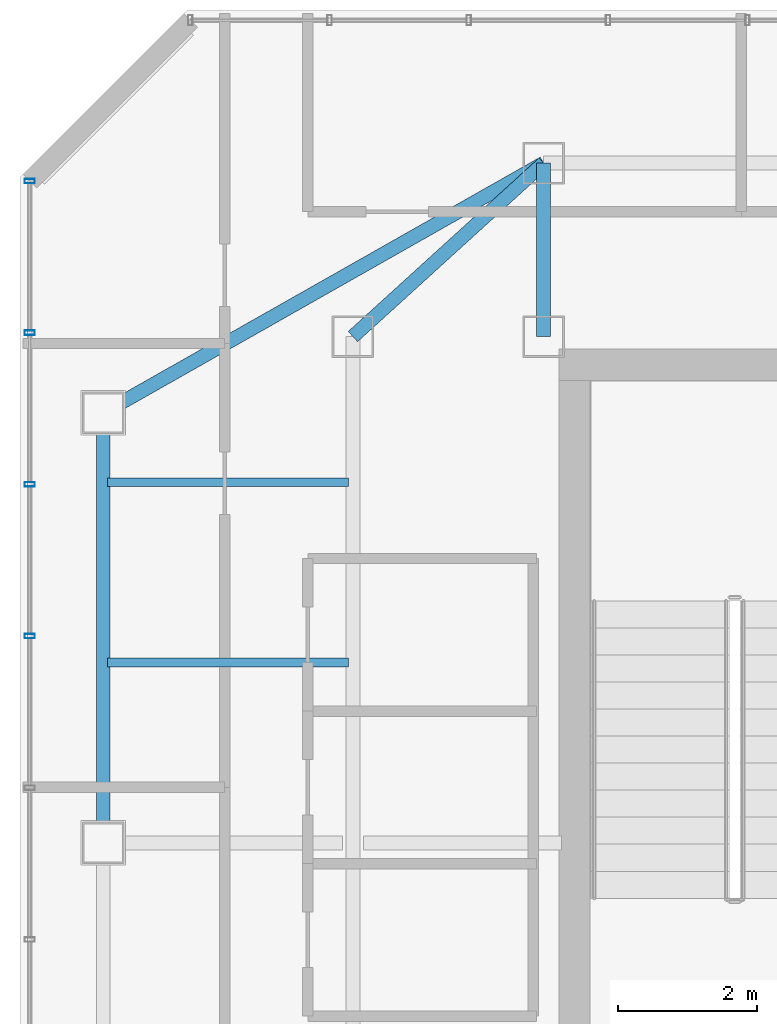
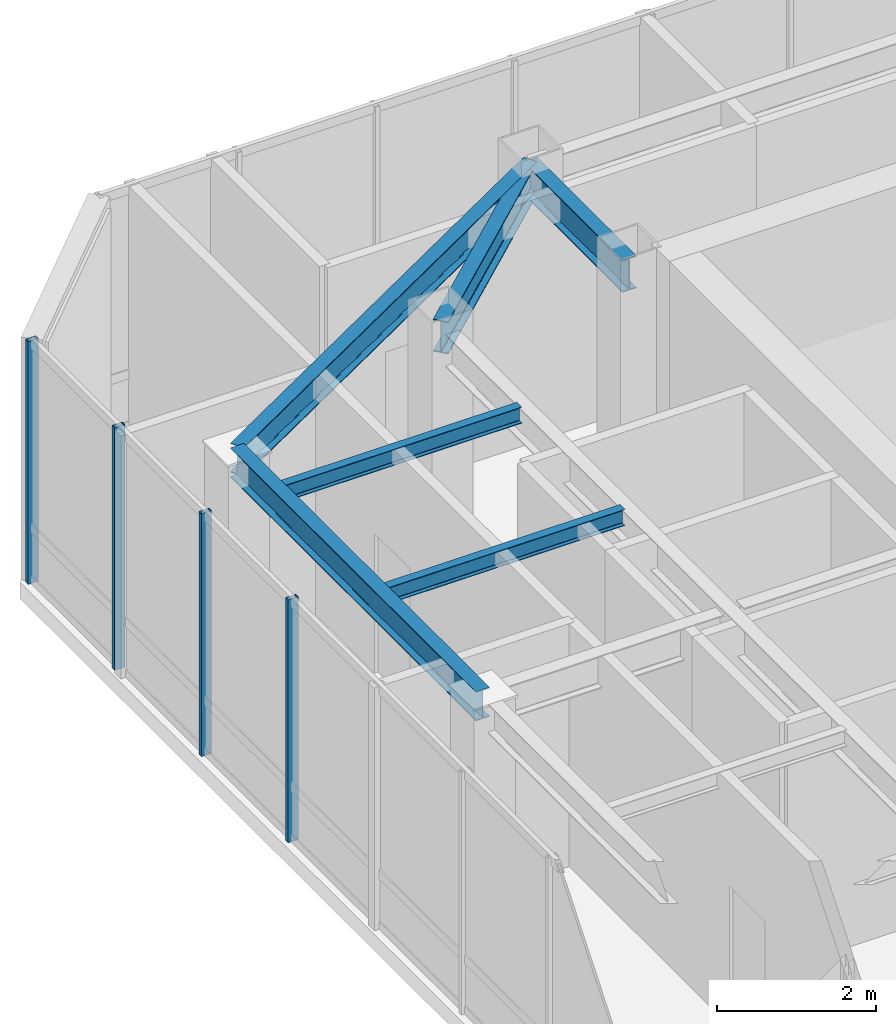
# One storey, part 16 of 31: 6 beams, 4 members, 1 element without a shape of its own.
"""IFC4 building model written with IfcOpenShell, lengths in metres."""

from ifc_helpers import new_model, si_unit, direction, frame, origin, origin_2d, place, context, subcontext, project, spatial, hollow_rectangle, i_section, extrude, material, layer, layer_set, material_profile, profile_set, type_object, element, aggregate, save


model = new_model("IFC4")

# Units and contexts
model_context = context("Model", 3, precision=1e-05, world=origin(), true_north=direction((0.0, 1.0)))
body_context = subcontext(model_context, "Body", "Model", "MODEL_VIEW")
ifc_project = project(units=[si_unit("LENGTHUNIT", "METRE"), si_unit("AREAUNIT", "SQUARE_METRE"), si_unit("VOLUMEUNIT", "CUBIC_METRE"), si_unit("PLANEANGLEUNIT", "RADIAN"), si_unit("MASSUNIT", "GRAM", prefix="KILO")], contexts=[model_context])

# Site, building, storey
site_placement = place(None, origin())
site = spatial("IfcSite", under=ifc_project, at=site_placement, CompositionType="ELEMENT")
building_placement = place(site_placement, origin())
building = spatial("IfcBuilding", under=site, at=building_placement, Name="Hatsunagi Terrace Concourse", CompositionType="ELEMENT")
storey_placement = place(building_placement, frame((0.0, 0.0, 269.949951171875)))
storey = spatial("IfcBuildingStorey", under=building, at=storey_placement, Name="L71", CompositionType="ELEMENT", Elevation=269.949951171875)

# Beams
ifc_material_1 = material(Name="Steel SN490B", Category="steel")
ifc_material_profile_1 = material_profile(ifc_material_1, i_section(OverallWidth=0.199951171875, OverallDepth=0.5, WebThickness=0.010009765625, FlangeThickness=0.01611328125, FilletRadius=0.01611328125, at=origin_2d()), Name="H-500x200x10x16")
ifc_profile_set_1 = profile_set([ifc_material_profile_1], Name="Steel SN490B")
beam_type_1 = type_object("IfcBeamType", Name="CrownFloorGirder_H_500x200", PredefinedType="BEAM", material=ifc_profile_set_1)
beam_1_placement = place(storey_placement, frame((25.550048828125, 43.300048828125, 3.5), z_axis=(0.0, 1.0, 0.0), x_axis=(-1.0, 0.0, 0.0)))
element("IfcBeam", 1, at=beam_1_placement, inside=storey, type_object=beam_type_1, Name="Beam G-07 BM-L71-CN1", PredefinedType="BEAM", context=body_context, shape_type="SweptSolid", body=[
    extrude(i_section(OverallWidth=0.199951171875, OverallDepth=0.5, WebThickness=0.010009765625, FlangeThickness=0.01611328125, FilletRadius=0.01611328125, at=origin_2d()), origin(), (0.0, 0.0, 1.0), 2.5),
])
beam_2_placement = place(storey_placement, frame((22.800048828125, 43.300048828125, 3.5), z_axis=(0.739940073396, 0.672672793996, 0.0), x_axis=(-0.672672793996, 0.739940073396, 0.0)))
element("IfcBeam", 2, at=beam_2_placement, inside=storey, type_object=beam_type_1, Name="Beam G-07 BM-L71-CWEW-N", PredefinedType="BEAM", context=body_context, shape_type="SweptSolid", body=[
    extrude(i_section(OverallWidth=0.199951171875, OverallDepth=0.5, WebThickness=0.010009765625, FlangeThickness=0.01611328125, FilletRadius=0.01611328125, at=origin_2d()), origin(), (0.0, 0.0, 1.0), 3.716552734375),
])
ifc_material_2 = material(Name="Steel SN490B", Category="steel")
ifc_material_profile_2 = material_profile(ifc_material_2, i_section(OverallWidth=0.125, OverallDepth=0.25, WebThickness=0.006103515625, FlangeThickness=0.009033203125, FilletRadius=0.008056640625, at=origin_2d()), Name="H-250x125x6x9")
ifc_profile_set_2 = profile_set([ifc_material_profile_2], Name="Steel SN490B")
beam_type_2 = type_object("IfcBeamType", Name="CrownJoist_H_250x125", PredefinedType="JOIST", material=ifc_profile_set_2)
for number, where, z_axis, x_axis, name in (
    (3, (19.264892578125, 38.60009765625, 3.625), (1.0, 0.0, 0.0), (0.0, 1.0, 0.0), "Beam J-04 J-L71-W-19-386"),
    (4, (19.264892578125, 41.199951171875, 3.625), (1.0, 0.0, 0.0), (0.0, 1.0, 0.0), "Beam J-04 J-L71-W-19-412"),
):
    element("IfcBeam", number, at=place(storey_placement, frame(where, z_axis=z_axis, x_axis=x_axis)), inside=storey, type_object=beam_type_2, Name=name, PredefinedType="JOIST", context=body_context, shape_type="SweptSolid", body=[
        extrude(i_section(OverallWidth=0.125, OverallDepth=0.25, WebThickness=0.006103515625, FlangeThickness=0.009033203125, FilletRadius=0.008056640625, at=origin_2d()), origin(), (0.0, 0.0, 1.0), 3.47021484375),
    ])

# Curtain wall, members
ifc_material_3 = material(Name="Anodised Aluminium Alloy 6063-T5", Category="aluminium")
ifc_layer = layer(ifc_material_3, 0.199951171875)
ifc_layer_set = layer_set([ifc_layer], Name="CrownWintergarden_CW06")
curtain_wall_type = type_object("IfcCurtainWallType", Name="CrownWintergarden_CW06", PredefinedType="NOTDEFINED", material=ifc_layer_set)
curtain_wall_placement = place(storey_placement, origin())
curtain_wall = element("IfcCurtainWall", 5, at=curtain_wall_placement, inside=storey, type_object=curtain_wall_type, Name="Unitised Curtain Wall CW-06 CW-L71-08", PredefinedType="NOTDEFINED")
ifc_material_4 = material(Name="Anodised Aluminium Alloy 6063-T5", Category="aluminium")
ifc_material_profile_3 = material_profile(ifc_material_4, hollow_rectangle(XDim=0.06494140625, YDim=0.14990234375, WallThickness=0.00390625, at=origin_2d()), Name="ALU-MUL-150x65x4")
ifc_profile_set_3 = profile_set([ifc_material_profile_3], Name="Anodised Aluminium Alloy 6063-T5")
member_type = type_object("IfcMemberType", Name="CurtainWallMullion_Crown_150x65", PredefinedType="MULLION", material=ifc_profile_set_3)
member_1_placement = place(storey_placement, frame((18.139892578125, 38.98095703125, 0.0), z_axis=(0.0, 0.0, 1.0), x_axis=(0.0, 1.0, 0.0)))
member_1 = element("IfcMember", 6, at=member_1_placement, type_object=member_type, Name="Curtain Wall Mullion MUL-03", PredefinedType="MULLION", context=body_context, shape_type="SweptSolid", body=[
    extrude(hollow_rectangle(XDim=0.06494140625, YDim=0.14990234375, WallThickness=0.00390625, at=origin_2d()), origin(), (0.0, 0.0, 1.0), 3.739990234375),
])
member_2_placement = place(storey_placement, frame((18.139892578125, 41.16796875, 0.0), z_axis=(0.0, 0.0, 1.0), x_axis=(0.0, 1.0, 0.0)))
member_2 = element("IfcMember", 7, at=member_2_placement, type_object=member_type, Name="Curtain Wall Mullion MUL-03", PredefinedType="MULLION", context=body_context, shape_type="SweptSolid", body=[
    extrude(hollow_rectangle(XDim=0.06494140625, YDim=0.14990234375, WallThickness=0.00390625, at=origin_2d()), origin(), (0.0, 0.0, 1.0), 3.739990234375),
])
member_3_placement = place(storey_placement, frame((18.139892578125, 43.35498046875, 0.0), z_axis=(0.0, 0.0, 1.0), x_axis=(0.0, 1.0, 0.0)))
member_3 = element("IfcMember", 8, at=member_3_placement, type_object=member_type, Name="Curtain Wall Mullion MUL-03", PredefinedType="MULLION", context=body_context, shape_type="SweptSolid", body=[
    extrude(hollow_rectangle(XDim=0.06494140625, YDim=0.14990234375, WallThickness=0.00390625, at=origin_2d()), origin(), (0.0, 0.0, 1.0), 3.739990234375),
])
member_4_placement = place(storey_placement, frame((18.139892578125, 45.5419921875, 0.0), z_axis=(0.0, 0.0, 1.0), x_axis=(0.0, 1.0, 0.0)))
member_4 = element("IfcMember", 9, at=member_4_placement, type_object=member_type, Name="Curtain Wall Mullion MUL-03", PredefinedType="MULLION", context=body_context, shape_type="SweptSolid", body=[
    extrude(hollow_rectangle(XDim=0.06494140625, YDim=0.14990234375, WallThickness=0.00390625, at=origin_2d()), origin(), (0.0, 0.0, 1.0), 3.739990234375),
])
aggregate(curtain_wall, [member_1, member_2, member_3, member_4])

# Beams
ifc_material_5 = material(Name="Steel SN490B", Category="steel")
ifc_material_profile_4 = material_profile(ifc_material_5, i_section(OverallWidth=0.199951171875, OverallDepth=0.449951171875, WebThickness=0.009033203125, FlangeThickness=0.013916015625, FilletRadius=0.01611328125, at=origin_2d()), Name="H-450x200x9x14")
ifc_profile_set_4 = profile_set([ifc_material_profile_4], Name="Steel SN490B")
beam_type_3 = type_object("IfcBeamType", Name="PerimeterSpandrel_H_450x200", PredefinedType="SPANDREL", material=ifc_profile_set_4)
beam_3_placement = place(storey_placement, frame((19.199951171875, 42.199951171875, 3.525146484375), z_axis=(0.869921746418, 0.493189775958, 0.0), x_axis=(-0.493189775958, 0.869921746418, 0.0)))
element("IfcBeam", 10, at=beam_3_placement, inside=storey, type_object=beam_type_3, Name="Beam SP-02 BM-L71-CR1N", PredefinedType="SPANDREL", context=body_context, shape_type="SweptSolid", body=[
    extrude(i_section(OverallWidth=0.199951171875, OverallDepth=0.449951171875, WebThickness=0.009033203125, FlangeThickness=0.013916015625, FilletRadius=0.01611328125, at=origin_2d()), origin(), (0.0, 0.0, 1.0), 7.299560546875),
])
beam_4_placement = place(storey_placement, frame((19.199951171875, 36.0, 3.525146484375), z_axis=(0.0, 1.0, 0.0), x_axis=(-1.0, 0.0, 0.0)))
element("IfcBeam", 11, at=beam_4_placement, inside=storey, type_object=beam_type_3, Name="Beam SP-02 BM-L71-NS-19-36", PredefinedType="SPANDREL", context=body_context, shape_type="SweptSolid", body=[
    extrude(i_section(OverallWidth=0.199951171875, OverallDepth=0.449951171875, WebThickness=0.009033203125, FlangeThickness=0.013916015625, FilletRadius=0.01611328125, at=origin_2d()), origin(), (0.0, 0.0, 1.0), 6.199951171875),
])

save(model, "model.ifc")
